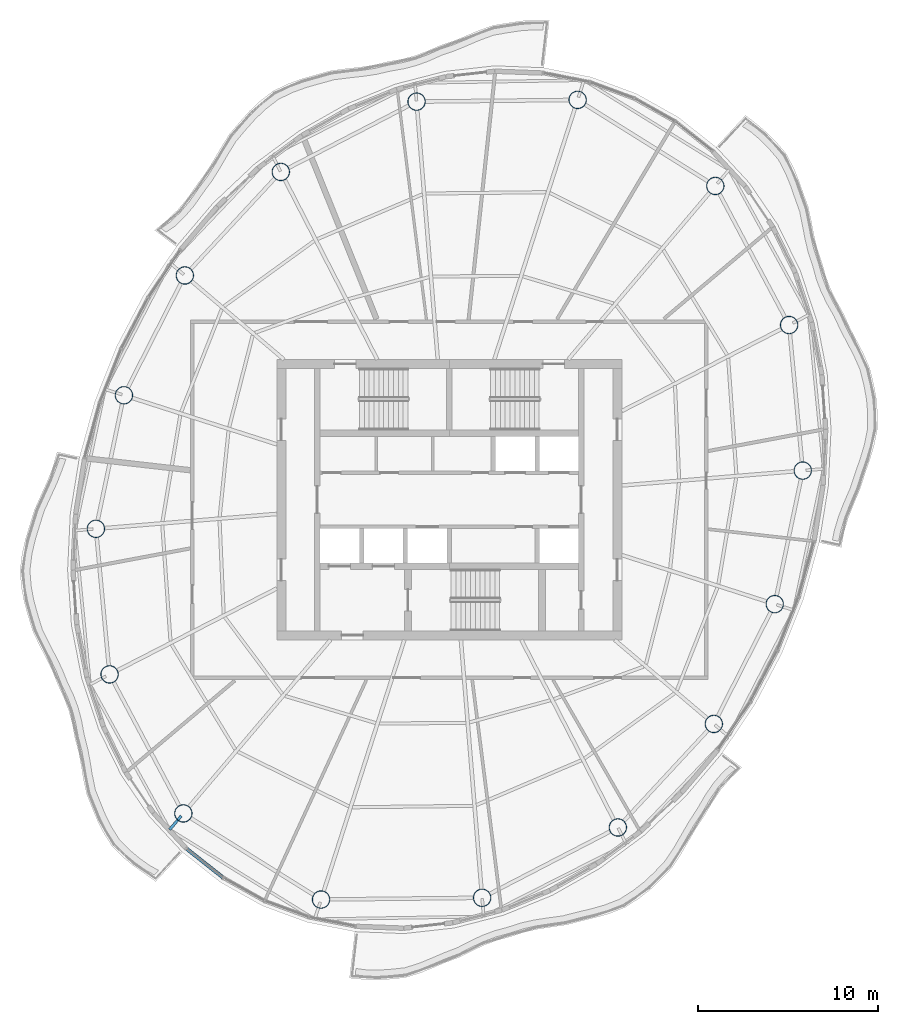
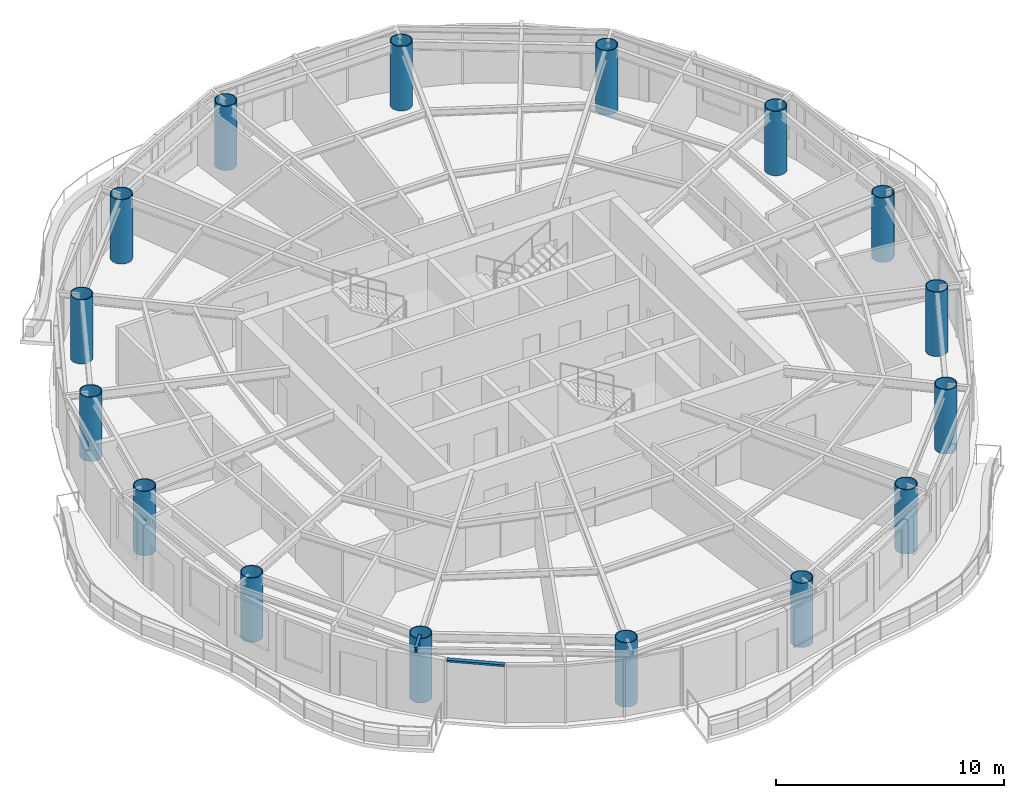
# One storey, part 1 of 13: 16 columns, 1 beam, 1 member, 1 element without a shape of its own.
"""IFC4 building model written with IfcOpenShell, lengths in metres."""

import ifcopenshell
import ifcopenshell.guid

model = None  # the IFC model being written
_history = None  # IfcOwnerHistory: only IFC2X3 demands one
_inside = {}  # id of a spatial element -> (the spatial element, [elements in it])
_under = {}  # id of a project, library or spatial element -> (it, [spatial elements below it])
_declared = {}  # id of a project -> (the project, [libraries it declares])
_typed = {}  # id of a type object -> (the type object, [elements of that type])
_made_of = {}  # id of a material, layer set ... -> (it, [elements and type objects made of it])


def new_model(schema):
    """Start an empty IFC model of exactly this schema.

    Asked for "IFC4X3", IfcOpenShell would pick the latest addendum, in which some entities
    have other attributes; the version numbers below select the first issue.
    IFC2X3 requires an IfcOwnerHistory on every rooted entity: one is made here for all.
    """
    global model, _history
    if schema == "IFC4X3":
        model = ifcopenshell.file(schema_version=(4, 3, 0, 0))
    else:
        model = ifcopenshell.file(schema=schema)
    _inside.clear()
    _under.clear()
    _declared.clear()
    _typed.clear()
    _made_of.clear()
    _history = None
    if model.schema == "IFC2X3":
        org = make("IfcOrganization", Name="unknown")
        user = make(
            "IfcPersonAndOrganization",
            ThePerson=make("IfcPerson", FamilyName="unknown"),
            TheOrganization=org,
        )
        app = make(
            "IfcApplication",
            ApplicationDeveloper=org,
            Version="unknown",
            ApplicationFullName="unknown",
            ApplicationIdentifier="unknown",
        )
        _history = make(
            "IfcOwnerHistory",
            OwningUser=user,
            OwningApplication=app,
            ChangeAction="ADDED",
            CreationDate=0,
        )
    return model


def make(cls, **values):
    """One entity of the class cls with the attributes given. An attribute that is None is left unset."""
    return model.create_entity(
        cls, **{name: value for name, value in values.items() if value is not None}
    )


def rooted(cls, **values):
    """An entity with a GlobalId (a new one), such as an element, a storey or a relation."""
    return make(cls, GlobalId=ifcopenshell.guid.new(), OwnerHistory=_history, **values)


def si_unit(unit_type, name, prefix=None):
    """IfcSIUnit, for example si_unit("LENGTHUNIT", "METRE", prefix="MILLI")."""
    return make("IfcSIUnit", UnitType=unit_type, Prefix=prefix, Name=name)


def assignment(units):
    """IfcUnitAssignment: the units of a project."""
    return None if units is None else make("IfcUnitAssignment", Units=units)


def point(xyz):
    """IfcCartesianPoint."""
    return None if xyz is None else make("IfcCartesianPoint", Coordinates=xyz)


def direction(xyz):
    """IfcDirection."""
    return None if xyz is None else make("IfcDirection", DirectionRatios=xyz)


def frame(location, z_axis=None, x_axis=None):
    """IfcAxis2Placement3D, a coordinate frame: its origin and axes. An axis left out is left unset."""
    return make(
        "IfcAxis2Placement3D",
        Location=point(location),
        Axis=direction(z_axis),
        RefDirection=direction(x_axis),
    )


def frame_2d(location, x_axis=None):
    """IfcAxis2Placement2D, a coordinate frame in the plane: its origin and x axis."""
    return make(
        "IfcAxis2Placement2D", Location=point(location), RefDirection=direction(x_axis)
    )


def origin():
    """The frame at (0, 0, 0) with its axes left unset."""
    return frame((0.0, 0.0, 0.0))


def origin_2d():
    """The frame at (0, 0) in the plane with its x axis left unset."""
    return frame_2d((0.0, 0.0))


def place(relative_to, where):
    """IfcLocalPlacement: puts the frame where relative to a parent placement (None: the world)."""
    return make(
        "IfcLocalPlacement", PlacementRelTo=relative_to, RelativePlacement=where
    )


def context(
    kind, dimensions, precision=None, world=None, true_north=None, identifier=None
):
    """IfcGeometricRepresentationContext, for example the 3D "Model" context."""
    return make(
        "IfcGeometricRepresentationContext",
        ContextIdentifier=identifier,
        ContextType=kind,
        CoordinateSpaceDimension=dimensions,
        Precision=precision,
        WorldCoordinateSystem=world,
        TrueNorth=true_north,
    )


def subcontext(parent, identifier, kind, view, scale=None):
    """IfcGeometricRepresentationSubContext, for example "Body" below "Model"."""
    return make(
        "IfcGeometricRepresentationSubContext",
        ContextIdentifier=identifier,
        ContextType=kind,
        ParentContext=parent,
        TargetScale=scale,
        TargetView=view,
    )


def project(units=None, contexts=None):
    """IfcProject with its units and contexts."""
    return rooted(
        "IfcProject",
        Name="project",
        RepresentationContexts=contexts,
        UnitsInContext=assignment(units),
    )


def spatial(cls, under=None, at=None, **own):
    """A site, building, storey or space (cls), placed at a placement, below another one or the project."""
    s = rooted(cls, ObjectPlacement=at, **own)
    if under is not None:
        _under.setdefault(under.id(), (under, []))[1].append(s)
    return s


def profile(cls, at=None, kind="AREA", **sizes):
    """A parametric profile (cls). Its sizes go by their IFC names, for example OverallWidth=200.0."""
    return make(cls, ProfileType=kind, Position=at, **sizes)


def rectangle(**sizes):
    """IfcRectangleProfileDef."""
    return profile("IfcRectangleProfileDef", **sizes)


def hollow_circle(**sizes):
    """IfcCircleHollowProfileDef."""
    return profile("IfcCircleHollowProfileDef", **sizes)


def i_section(**sizes):
    """IfcIShapeProfileDef."""
    return profile("IfcIShapeProfileDef", **sizes)


def extrude(swept, where, along, depth):
    """IfcExtrudedAreaSolid: the profile swept, set in the frame where, extruded along a direction by depth."""
    return make(
        "IfcExtrudedAreaSolid",
        SweptArea=swept,
        Position=where,
        ExtrudedDirection=direction(along),
        Depth=depth,
    )


def shape(context_of_items, identifier, shape_type, items):
    """IfcShapeRepresentation: the items that make up one representation, for example the "Body"."""
    return make(
        "IfcShapeRepresentation",
        ContextOfItems=context_of_items,
        RepresentationIdentifier=identifier,
        RepresentationType=shape_type,
        Items=items,
    )


def material(Name=None, Category=None):
    """IfcMaterial."""
    return make("IfcMaterial", Name=Name, Category=Category)


def material_profile(
    of_material, cross_section, Name=None, Category=None, Priority=None
):
    """IfcMaterialProfile: a cross section and its material."""
    return make(
        "IfcMaterialProfile",
        Name=Name,
        Material=of_material,
        Profile=cross_section,
        Priority=Priority,
        Category=Category,
    )


def profile_set(profiles, Name=None, composite=None):
    """IfcMaterialProfileSet."""
    return make(
        "IfcMaterialProfileSet",
        Name=Name,
        MaterialProfiles=profiles,
        CompositeProfile=composite,
    )


def made_of(thing, what):
    """Note that an element or type object is made of a material, layer set ...; save() writes the relation."""
    if what is not None:
        _made_of.setdefault(what.id(), (what, []))[1].append(thing)
    return thing


def type_object(cls, material=None, **own):
    """A type object (cls), such as IfcWallType, which elements share."""
    return made_of(rooted(cls, **own), material)


def element(
    cls,
    number,
    at=None,
    inside=None,
    cuts=None,
    type_object=None,
    material=None,
    context=None,
    identifier="Body",
    shape_type=None,
    held_by="IfcProductDefinitionShape",
    body=None,
    shapes=None,
    **own,
):
    """One element of the class cls, such as IfcWall. Its Tag is "e" and its number.

    at: its placement. inside: the storey or other place that contains it. cuts: it is an
    opening in that element (IfcRelVoidsElement). A single representation is given by context,
    identifier, shape_type and body (its items); several are given by shapes. held_by: the class
    of the entity that holds the representations. save() writes the other relations.
    """
    e = rooted(cls, Tag="e%d" % number, ObjectPlacement=at, **own)
    if body is not None:
        shapes = [shape(context, identifier, shape_type, body)]
    if shapes is not None:
        e.Representation = make(held_by, Representations=shapes)
    if inside is not None:
        _inside.setdefault(inside.id(), (inside, []))[1].append(e)
    if cuts is not None:
        rooted(
            "IfcRelVoidsElement", RelatingBuildingElement=cuts, RelatedOpeningElement=e
        )
    if type_object is not None:
        _typed.setdefault(type_object.id(), (type_object, []))[1].append(e)
    return made_of(e, material)


def aggregate(whole, parts):
    """IfcRelAggregates: a whole, such as a stair, and the parts it consists of."""
    return rooted("IfcRelAggregates", RelatingObject=whole, RelatedObjects=parts)


def save(model, path):
    """Write the relations noted so far, then the file.

    IfcRelAggregates (storeys below a building ...), IfcRelContainedInSpatialStructure (elements
    in a storey), IfcRelDefinesByType, IfcRelAssociatesMaterial and IfcRelDeclares: one each for
    every whole, place, type object, material and project.
    """
    for whole, parts in _under.values():
        aggregate(whole, parts)
    for where, things in _inside.values():
        rooted(
            "IfcRelContainedInSpatialStructure",
            RelatedElements=things,
            RelatingStructure=where,
        )
    for kind, things in _typed.values():
        rooted("IfcRelDefinesByType", RelatedObjects=things, RelatingType=kind)
    for what, things in _made_of.values():
        rooted("IfcRelAssociatesMaterial", RelatedObjects=things, RelatingMaterial=what)
    for by, libraries in _declared.values():
        rooted("IfcRelDeclares", RelatingContext=by, RelatedDefinitions=libraries)
    model.write(path)


model = new_model("IFC4")

# Units and contexts
model_context = context("Model", 3, precision=1e-05, world=origin(), true_north=direction((0.0, 1.0)))
body_context = subcontext(model_context, "Body", "Model", "MODEL_VIEW")
ifc_project = project(units=[si_unit("LENGTHUNIT", "METRE"), si_unit("AREAUNIT", "SQUARE_METRE"), si_unit("VOLUMEUNIT", "CUBIC_METRE"), si_unit("PLANEANGLEUNIT", "RADIAN"), si_unit("MASSUNIT", "GRAM", prefix="KILO")], contexts=[model_context])

# Site, building, storey
site_placement = place(None, origin())
site = spatial("IfcSite", under=ifc_project, at=site_placement, CompositionType="ELEMENT")
building_placement = place(site_placement, origin())
building = spatial("IfcBuilding", under=site, at=building_placement, Name="Vermilion Reach Broadcast Tower", CompositionType="ELEMENT")
storey_placement = place(building_placement, frame((0.0, 0.0, 293.699951171875)))
storey = spatial("IfcBuildingStorey", under=building, at=storey_placement, Name="L73", CompositionType="ELEMENT", Elevation=293.699951171875)

# Columns
ifc_material_1 = material(Name="Concrete C60 infill in steel S460NL tube", Category="concrete")
ifc_material_profile_1 = material_profile(ifc_material_1, hollow_circle(Radius=0.5, WallThickness=0.0400390625, at=origin_2d()), Name="Concrete C60 infill in steel S460NL tube CFT 1000x40")
ifc_profile_set_1 = profile_set([ifc_material_profile_1], Name="Concrete C60 infill in steel S460NL tube")
column_type = type_object("IfcColumnType", Name="MC5 CFT 1000x40", PredefinedType="COLUMN", material=ifc_profile_set_1)
for number, where, z_axis, x_axis, name in (
    (1, (1.138427734375, 22.2470703125, 0.0), (0.0, 0.0, 1.0), (1.0, 0.0, 0.0), "Mega-column MC5-01"),
    (2, (-7.824951171875, 22.1494140625, 0.0), (0.0, 0.0, 1.0), (1.0, 0.0, 0.0), "Mega-column MC5-02"),
    (3, (-15.376953125, 18.23779296875, 0.0), (0.0, 0.0, 1.0), (1.0, 0.0, 0.0), "Mega-column MC5-03"),
    (4, (-20.717529296875, 12.476806640625, 0.0), (0.0, 0.0, 1.0), (1.0, 0.0, 0.0), "Mega-column MC5-04"),
    (5, (-24.10595703125, 5.809814453125, 0.0), (0.0, 0.0, 1.0), (1.0, 0.0, 0.0), "Mega-column MC5-05"),
    (6, (-25.665771484375, -1.620361328125, 0.0), (0.0, 0.0, 1.0), (1.0, 0.0, 0.0), "Mega-column MC5-06"),
    (7, (-24.905517578125, -9.72021484375, 0.0), (0.0, 0.0, 1.0), (1.0, 0.0, 0.0), "Mega-column MC5-07"),
    (8, (-20.799560546875, -17.457275390625, 0.0), (0.0, 0.0, 1.0), (1.0, 0.0, 0.0), "Mega-column MC5-08"),
    (9, (-13.138427734375, -22.2470703125, 0.0), (0.0, 0.0, 1.0), (1.0, 0.0, 0.0), "Mega-column MC5-09"),
    (10, (-4.175048828125, -22.1494140625, 0.0), (0.0, 0.0, 1.0), (1.0, 0.0, 0.0), "Mega-column MC5-10"),
    (11, (3.376953125, -18.23779296875, 0.0), (0.0, 0.0, 1.0), (1.0, 0.0, 0.0), "Mega-column MC5-11"),
    (12, (8.717529296875, -12.476806640625, 0.0), (0.0, 0.0, 1.0), (1.0, 0.0, 0.0), "Mega-column MC5-12"),
    (13, (12.10595703125, -5.809814453125, 0.0), (0.0, 0.0, 1.0), (1.0, 0.0, 0.0), "Mega-column MC5-13"),
    (14, (13.665771484375, 1.620361328125, 0.0), (0.0, 0.0, 1.0), (1.0, 0.0, 0.0), "Mega-column MC5-14"),
    (15, (12.905517578125, 9.72021484375, 0.0), (0.0, 0.0, 1.0), (1.0, 0.0, 0.0), "Mega-column MC5-15"),
    (16, (8.799560546875, 17.457275390625, 0.0), (0.0, 0.0, 1.0), (1.0, 0.0, 0.0), "Mega-column MC5-16"),
):
    element("IfcColumn", number, at=place(storey_placement, frame(where, z_axis=z_axis, x_axis=x_axis)), inside=storey, type_object=column_type, Name=name, PredefinedType="COLUMN", context=body_context, shape_type="SweptSolid", body=[
        extrude(hollow_circle(Radius=0.5, WallThickness=0.0400390625, at=origin_2d()), origin(), (0.0, 0.0, 1.0), 3.449951171875),
    ])

# Beam
ifc_material_2 = material(Name="Steel S355J2", Category="steel")
ifc_material_profile_2 = material_profile(ifc_material_2, i_section(OverallWidth=0.14990234375, OverallDepth=0.300048828125, WebThickness=0.006591796875, FlangeThickness=0.009033203125, at=origin_2d()), Name="S355J2 HN 300x150x6.5x9")
ifc_profile_set_2 = profile_set([ifc_material_profile_2], Name="Steel S355J2")
beam_type = type_object("IfcBeamType", Name="GS5 HN 300x150x6.5x9", PredefinedType="BEAM", material=ifc_profile_set_2)
beam_placement = place(storey_placement, frame((-20.916015625, -17.594482421875, 3.300048828125), z_axis=(-0.646620415529, -0.762811928474, 0.0), x_axis=(0.762811928474, -0.646620415529, 0.0)))
element("IfcBeam", 17, at=beam_placement, inside=storey, type_object=beam_type, Name="Cantilever stub GS5-08", PredefinedType="BEAM", context=body_context, shape_type="SweptSolid", body=[
    extrude(i_section(OverallWidth=0.14990234375, OverallDepth=0.300048828125, WebThickness=0.006591796875, FlangeThickness=0.009033203125, at=origin_2d()), origin(), (0.0, 0.0, 1.0), 1.000244140625),
])

# Curtain wall, member
ifc_material_3 = material(Name="Low-e laminated clear glass in aluminium frame", Category="aluminium")
curtain_wall_type = type_object("IfcCurtainWallType", Name="Slot curtain wall", PredefinedType="NOTDEFINED", material=ifc_material_3)
curtain_wall_placement = place(storey_placement, origin())
curtain_wall = element("IfcCurtainWall", 18, at=curtain_wall_placement, inside=storey, type_object=curtain_wall_type, Name="Slot curtain wall L73 22", PredefinedType="NOTDEFINED")
ifc_material_4 = material(Name="Anodised aluminium", Category="aluminium")
ifc_material_profile_3 = material_profile(ifc_material_4, rectangle(XDim=0.199951171875, YDim=0.10009765625, at=origin_2d()), Name="Slot transom 200 x 100")
ifc_profile_set_3 = profile_set([ifc_material_profile_3], Name="Anodised aluminium")
member_type = type_object("IfcMemberType", Name="Slot transom 200 x 100", PredefinedType="USERDEFINED", material=ifc_profile_set_3)
member_placement = place(storey_placement, frame((-20.607421875, -19.427490234375, 3.10009765625), z_axis=(0.784090217942, -0.620646864269, 0.0), x_axis=(0.620646864269, 0.784090217942, 0.0)))
member = element("IfcMember", 19, at=member_placement, type_object=member_type, Name="Slot transom L73 22.1", ObjectType="TRANSOM", PredefinedType="USERDEFINED", context=body_context, shape_type="SweptSolid", body=[
    extrude(rectangle(XDim=0.199951171875, YDim=0.10009765625, at=origin_2d()), origin(), (0.0, 0.0, 1.0), 2.564697265625),
])
aggregate(curtain_wall, [member])

save(model, "model.ifc")
